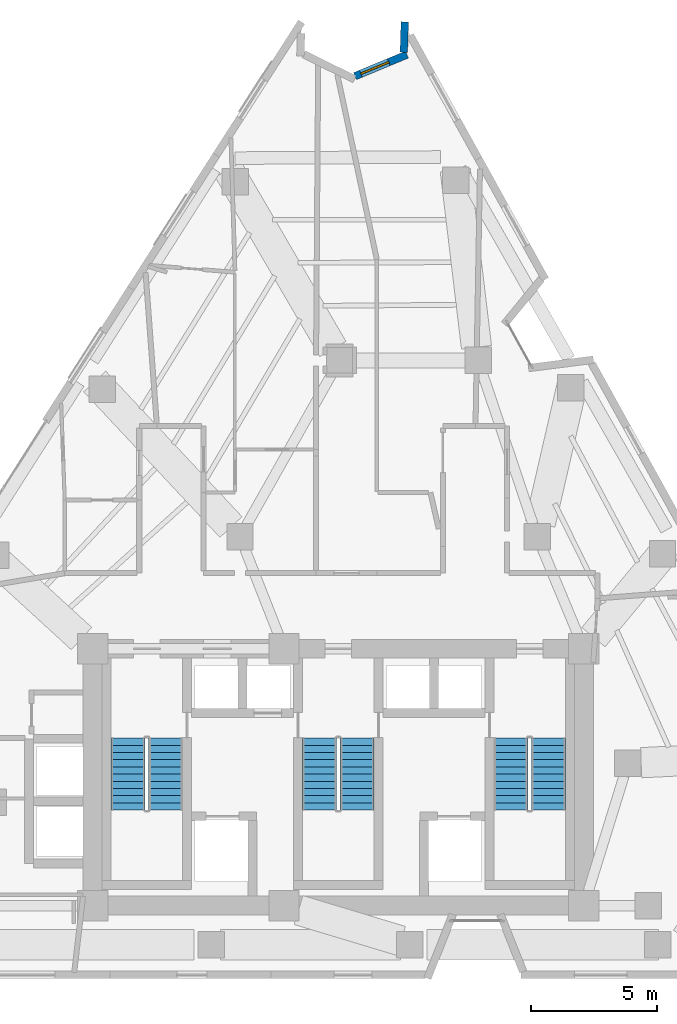
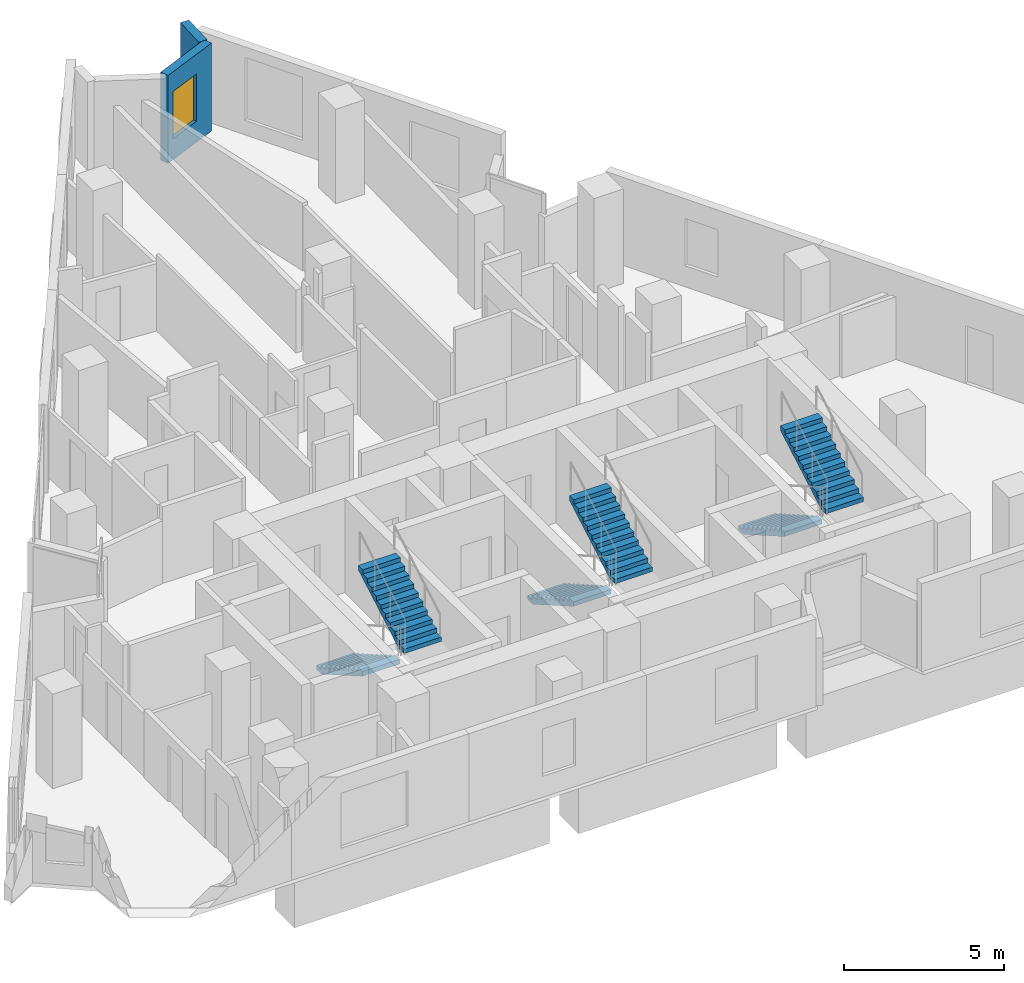
# One storey, part 9 of 11: 6 stair flights, 2 walls, 1 window, 1 opening, 3 elements without a shape of their own.
"""IFC4 building model written with IfcOpenShell, lengths in metres."""

from ifc_helpers import new_model, si_unit, direction, frame, frame_2d, origin, place, context, subcontext, project, spatial, polyline, rectangle, outline, extrude, material, layer, layer_set, type_object, element, fill, aggregate, save


model = new_model("IFC4")

# Units and contexts
model_context = context("Model", 3, precision=1e-05, world=origin(), true_north=direction((0.0, 1.0)))
body_context = subcontext(model_context, "Body", "Model", "MODEL_VIEW")
ifc_project = project(units=[si_unit("LENGTHUNIT", "METRE"), si_unit("AREAUNIT", "SQUARE_METRE"), si_unit("VOLUMEUNIT", "CUBIC_METRE"), si_unit("PLANEANGLEUNIT", "RADIAN"), si_unit("MASSUNIT", "GRAM", prefix="KILO")], contexts=[model_context])

# Site, building, storey
site_placement = place(None, origin())
site = spatial("IfcSite", under=ifc_project, at=site_placement, CompositionType="ELEMENT")
building_placement = place(site_placement, origin())
building = spatial("IfcBuilding", under=site, at=building_placement, Name="Almagre Mirador Tower", CompositionType="ELEMENT")
storey_placement = place(building_placement, frame((0.0, 0.0, 153.60009765625)))
storey = spatial("IfcBuildingStorey", under=building, at=storey_placement, Name="L39", CompositionType="ELEMENT", Elevation=153.60009765625)

# Wall, opening, window
ifc_material_1 = material(Name="Precast concrete C50/60", Category="concrete")
ifc_layer = layer(ifc_material_1, 0.300048828125)
ifc_layer_set = layer_set([ifc_layer], Name="Precast concrete C50/60")
wall_type = type_object("IfcWallType", Name="WAL-EXT-300", PredefinedType="SOLIDWALL", material=ifc_layer_set)
wall_1_placement = place(storey_placement, frame((37.96484375, 37.483154296875, 0.0), z_axis=(0.0, 0.0, 1.0), x_axis=(0.923541991646, 0.383497313766, 0.0)))
wall_1 = element("IfcWall", 1, at=wall_1_placement, inside=storey, type_object=wall_type, Name="L39 expressed almagre precast frame wall 08", PredefinedType="SOLIDWALL", context=body_context, shape_type="SweptSolid", body=[
    extrude(rectangle(XDim=2.233154296875, YDim=0.300048828125, at=frame_2d((1.11669921875, 0.0))), origin(), (0.0, 0.0, 1.0), 3.349853515625),
])
opening_placement = place(wall_1_placement, frame((0.2529296875, 0.0, 0.800048828125)))
opening = element("IfcOpeningElement", 2, at=opening_placement, cuts=wall_1, Name="Opening WN-04", PredefinedType="OPENING", context=body_context, shape_type="SweptSolid", body=[
    extrude(rectangle(XDim=1.199951171875, YDim=1.800048828125, at=frame_2d((0.60009765625, 0.89990234375))), frame((0.0, 0.159902, 0.0), z_axis=(0.0, -1.0, 0.0), x_axis=(1.0, 0.0, 0.0)), (0.0, 0.0, 1.0), 0.320049),
])
ifc_material_2 = material(Name="Dark solar-control laminated hurricane glass", Category="glass")
window_type = type_object("IfcWindowType", Name="WIN-1200X1800", PartitioningType="SINGLE_PANEL", PredefinedType="WINDOW", material=ifc_material_2)
window_placement = place(opening_placement, origin())
window = element("IfcWindow", 3, at=window_placement, inside=storey, type_object=window_type, Name="L39 recessed hurricane window L39-RST-H", OverallHeight=1.800048828125, OverallWidth=1.199951171875, PartitioningType="SINGLE_PANEL", PredefinedType="WINDOW", context=body_context, shape_type="SweptSolid", body=[
    extrude(rectangle(XDim=1.199951171875, YDim=1.800048828125, at=frame_2d((0.60009765625, 0.89990234375))), frame((0.0, 0.030029296875, 0.0), z_axis=(0.0, -1.0, 0.0), x_axis=(1.0, 0.0, 0.0)), (0.0, 0.0, 1.0), 0.06005859375),
])
fill(opening, window)

# Wall
wall_2_placement = place(storey_placement, frame((39.902587890625, 38.430908203125, 0.0), z_axis=(0.0, 0.0, 1.0), x_axis=(0.032091701063, 0.999484928712, 0.0)))
element("IfcWall", 4, at=wall_2_placement, inside=storey, type_object=wall_type, Name="L39 expressed almagre precast frame wall 09", PredefinedType="SOLIDWALL", context=body_context, shape_type="SweptSolid", body=[
    extrude(rectangle(XDim=1.209716796875, YDim=0.300048828125, at=frame_2d((0.60498046875, 0.0))), origin(), (0.0, 0.0, 1.0), 3.349853515625),
])

# Stair, stair flights
ifc_material_3 = material(Name="Concrete C45/55", Category="concrete")
stair_type = type_object("IfcStairType", Name="STR-DL-3600", PredefinedType="HALF_TURN_STAIR", material=ifc_material_3)
stair_1_placement = place(storey_placement, origin())
stair_1 = element("IfcStair", 5, at=stair_1_placement, inside=storey, type_object=stair_type, Name="L39 Protected exit stair ST-1", PredefinedType="HALF_TURN_STAIR")
ifc_material_4 = material(Name="Concrete C45/55", Category="concrete")
stair_flight_type = type_object("IfcStairFlightType", Name="FLT-DL-3600", PredefinedType="STRAIGHT", material=ifc_material_4)
stair_flight_1_placement = place(storey_placement, frame((28.949951171875, 11.199951171875, 0.0), z_axis=(0.0, 0.0, 1.0), x_axis=(0.0, -1.0, 0.0)))
stair_flight_1 = element("IfcStairFlight", 6, at=stair_flight_1_placement, type_object=stair_flight_type, Name="ST-1 flight 1", NumberOfRisers=11, NumberOfTreads=10, PredefinedType="STRAIGHT", RiserHeight=0.163636364, TreadLength=0.285, context=body_context, shape_type="SweptSolid", body=[
    extrude(outline(polyline([(0.0, 0.0), (0.0, 0.16357421875), (0.284912109375, 0.16357421875), (0.284912109375, 0.327392578125), (0.570068359375, 0.327392578125), (0.570068359375, 0.490966796875), (0.85498046875, 0.490966796875), (0.85498046875, 0.654541015625), (1.139892578125, 0.654541015625), (1.139892578125, 0.818115234375), (1.425048828125, 0.818115234375), (1.425048828125, 0.98193359375), (1.7099609375, 0.98193359375), (1.7099609375, 1.1455078125), (1.9951171875, 1.1455078125), (1.9951171875, 1.30908203125), (2.280029296875, 1.30908203125), (2.280029296875, 1.47265625), (2.56494140625, 1.47265625), (2.56494140625, 1.636474609375), (2.85009765625, 1.636474609375), (2.85009765625, 1.800048828125), (2.85009765625, 1.463623046875), (0.301025390625, 0.0), (0.0, 0.0)])), frame((0.0, 0.675048828125, 0.0), z_axis=(0.0, -1.0, 0.0), x_axis=(1.0, 0.0, 0.0)), (0.0, 0.0, 1.0), 1.35009765625),
])
stair_flight_2_placement = place(storey_placement, frame((30.449951171875, 8.35009765625, 1.7998046875), z_axis=(0.0, 0.0, 1.0), x_axis=(0.0, 1.0, 0.0)))
stair_flight_2 = element("IfcStairFlight", 7, at=stair_flight_2_placement, type_object=stair_flight_type, Name="ST-1 flight 2", NumberOfRisers=11, NumberOfTreads=10, PredefinedType="STRAIGHT", RiserHeight=0.163636364, TreadLength=0.285, context=body_context, shape_type="SweptSolid", body=[
    extrude(outline(polyline([(0.0, 0.0), (0.0, 0.16357421875), (0.284912109375, 0.16357421875), (0.284912109375, 0.327392578125), (0.570068359375, 0.327392578125), (0.570068359375, 0.490966796875), (0.85498046875, 0.490966796875), (0.85498046875, 0.654541015625), (1.139892578125, 0.654541015625), (1.139892578125, 0.818115234375), (1.425048828125, 0.818115234375), (1.425048828125, 0.98193359375), (1.7099609375, 0.98193359375), (1.7099609375, 1.1455078125), (1.9951171875, 1.1455078125), (1.9951171875, 1.30908203125), (2.280029296875, 1.30908203125), (2.280029296875, 1.47265625), (2.56494140625, 1.47265625), (2.56494140625, 1.636474609375), (2.85009765625, 1.636474609375), (2.85009765625, 1.800048828125), (2.85009765625, 1.463623046875), (0.301025390625, 0.0), (0.0, 0.0)])), frame((0.0, 0.675048828125, 0.0), z_axis=(0.0, -1.0, 0.0), x_axis=(1.0, 0.0, 0.0)), (0.0, 0.0, 1.0), 1.35009765625),
])
aggregate(stair_1, [stair_flight_1, stair_flight_2])

stair_2_placement = place(storey_placement, origin())
stair_2 = element("IfcStair", 8, at=stair_2_placement, inside=storey, type_object=stair_type, Name="L39 Protected exit stair ST-2", PredefinedType="HALF_TURN_STAIR")
stair_flight_3_placement = place(storey_placement, frame((36.550048828125, 11.199951171875, 0.0), z_axis=(0.0, 0.0, 1.0), x_axis=(0.0, -1.0, 0.0)))
stair_flight_3 = element("IfcStairFlight", 9, at=stair_flight_3_placement, type_object=stair_flight_type, Name="ST-2 flight 1", NumberOfRisers=11, NumberOfTreads=10, PredefinedType="STRAIGHT", RiserHeight=0.163636364, TreadLength=0.285, context=body_context, shape_type="SweptSolid", body=[
    extrude(outline(polyline([(0.0, 0.0), (0.0, 0.16357421875), (0.284912109375, 0.16357421875), (0.284912109375, 0.327392578125), (0.570068359375, 0.327392578125), (0.570068359375, 0.490966796875), (0.85498046875, 0.490966796875), (0.85498046875, 0.654541015625), (1.139892578125, 0.654541015625), (1.139892578125, 0.818115234375), (1.425048828125, 0.818115234375), (1.425048828125, 0.98193359375), (1.7099609375, 0.98193359375), (1.7099609375, 1.1455078125), (1.9951171875, 1.1455078125), (1.9951171875, 1.30908203125), (2.280029296875, 1.30908203125), (2.280029296875, 1.47265625), (2.56494140625, 1.47265625), (2.56494140625, 1.636474609375), (2.85009765625, 1.636474609375), (2.85009765625, 1.800048828125), (2.85009765625, 1.463623046875), (0.301025390625, 0.0), (0.0, 0.0)])), frame((0.0, 0.675048828125, 0.0), z_axis=(0.0, -1.0, 0.0), x_axis=(1.0, 0.0, 0.0)), (0.0, 0.0, 1.0), 1.35009765625),
])
stair_flight_4_placement = place(storey_placement, frame((38.050048828125, 8.35009765625, 1.7998046875), z_axis=(0.0, 0.0, 1.0), x_axis=(0.0, 1.0, 0.0)))
stair_flight_4 = element("IfcStairFlight", 10, at=stair_flight_4_placement, type_object=stair_flight_type, Name="ST-2 flight 2", NumberOfRisers=11, NumberOfTreads=10, PredefinedType="STRAIGHT", RiserHeight=0.163636364, TreadLength=0.285, context=body_context, shape_type="SweptSolid", body=[
    extrude(outline(polyline([(0.0, 0.0), (0.0, 0.16357421875), (0.284912109375, 0.16357421875), (0.284912109375, 0.327392578125), (0.570068359375, 0.327392578125), (0.570068359375, 0.490966796875), (0.85498046875, 0.490966796875), (0.85498046875, 0.654541015625), (1.139892578125, 0.654541015625), (1.139892578125, 0.818115234375), (1.425048828125, 0.818115234375), (1.425048828125, 0.98193359375), (1.7099609375, 0.98193359375), (1.7099609375, 1.1455078125), (1.9951171875, 1.1455078125), (1.9951171875, 1.30908203125), (2.280029296875, 1.30908203125), (2.280029296875, 1.47265625), (2.56494140625, 1.47265625), (2.56494140625, 1.636474609375), (2.85009765625, 1.636474609375), (2.85009765625, 1.800048828125), (2.85009765625, 1.463623046875), (0.301025390625, 0.0), (0.0, 0.0)])), frame((0.0, 0.675048828125, 0.0), z_axis=(0.0, -1.0, 0.0), x_axis=(1.0, 0.0, 0.0)), (0.0, 0.0, 1.0), 1.35009765625),
])
aggregate(stair_2, [stair_flight_3, stair_flight_4])

stair_3_placement = place(storey_placement, origin())
stair_3 = element("IfcStair", 11, at=stair_3_placement, inside=storey, type_object=stair_type, Name="L39 Protected exit stair ST-3", PredefinedType="HALF_TURN_STAIR")
stair_flight_5_placement = place(storey_placement, frame((44.14990234375, 11.199951171875, 0.0), z_axis=(0.0, 0.0, 1.0), x_axis=(0.0, -1.0, 0.0)))
stair_flight_5 = element("IfcStairFlight", 12, at=stair_flight_5_placement, type_object=stair_flight_type, Name="ST-3 flight 1", NumberOfRisers=11, NumberOfTreads=10, PredefinedType="STRAIGHT", RiserHeight=0.163636364, TreadLength=0.285, context=body_context, shape_type="SweptSolid", body=[
    extrude(outline(polyline([(0.0, 0.0), (0.0, 0.16357421875), (0.284912109375, 0.16357421875), (0.284912109375, 0.327392578125), (0.570068359375, 0.327392578125), (0.570068359375, 0.490966796875), (0.85498046875, 0.490966796875), (0.85498046875, 0.654541015625), (1.139892578125, 0.654541015625), (1.139892578125, 0.818115234375), (1.425048828125, 0.818115234375), (1.425048828125, 0.98193359375), (1.7099609375, 0.98193359375), (1.7099609375, 1.1455078125), (1.9951171875, 1.1455078125), (1.9951171875, 1.30908203125), (2.280029296875, 1.30908203125), (2.280029296875, 1.47265625), (2.56494140625, 1.47265625), (2.56494140625, 1.636474609375), (2.85009765625, 1.636474609375), (2.85009765625, 1.800048828125), (2.85009765625, 1.463623046875), (0.301025390625, 0.0), (0.0, 0.0)])), frame((0.0, 0.675048828125, 0.0), z_axis=(0.0, -1.0, 0.0), x_axis=(1.0, 0.0, 0.0)), (0.0, 0.0, 1.0), 1.35009765625),
])
stair_flight_6_placement = place(storey_placement, frame((45.64990234375, 8.35009765625, 1.7998046875), z_axis=(0.0, 0.0, 1.0), x_axis=(0.0, 1.0, 0.0)))
stair_flight_6 = element("IfcStairFlight", 13, at=stair_flight_6_placement, type_object=stair_flight_type, Name="ST-3 flight 2", NumberOfRisers=11, NumberOfTreads=10, PredefinedType="STRAIGHT", RiserHeight=0.163636364, TreadLength=0.285, context=body_context, shape_type="SweptSolid", body=[
    extrude(outline(polyline([(0.0, 0.0), (0.0, 0.16357421875), (0.284912109375, 0.16357421875), (0.284912109375, 0.327392578125), (0.570068359375, 0.327392578125), (0.570068359375, 0.490966796875), (0.85498046875, 0.490966796875), (0.85498046875, 0.654541015625), (1.139892578125, 0.654541015625), (1.139892578125, 0.818115234375), (1.425048828125, 0.818115234375), (1.425048828125, 0.98193359375), (1.7099609375, 0.98193359375), (1.7099609375, 1.1455078125), (1.9951171875, 1.1455078125), (1.9951171875, 1.30908203125), (2.280029296875, 1.30908203125), (2.280029296875, 1.47265625), (2.56494140625, 1.47265625), (2.56494140625, 1.636474609375), (2.85009765625, 1.636474609375), (2.85009765625, 1.800048828125), (2.85009765625, 1.463623046875), (0.301025390625, 0.0), (0.0, 0.0)])), frame((0.0, 0.675048828125, 0.0), z_axis=(0.0, -1.0, 0.0), x_axis=(1.0, 0.0, 0.0)), (0.0, 0.0, 1.0), 1.35009765625),
])
aggregate(stair_3, [stair_flight_5, stair_flight_6])

save(model, "model.ifc")
